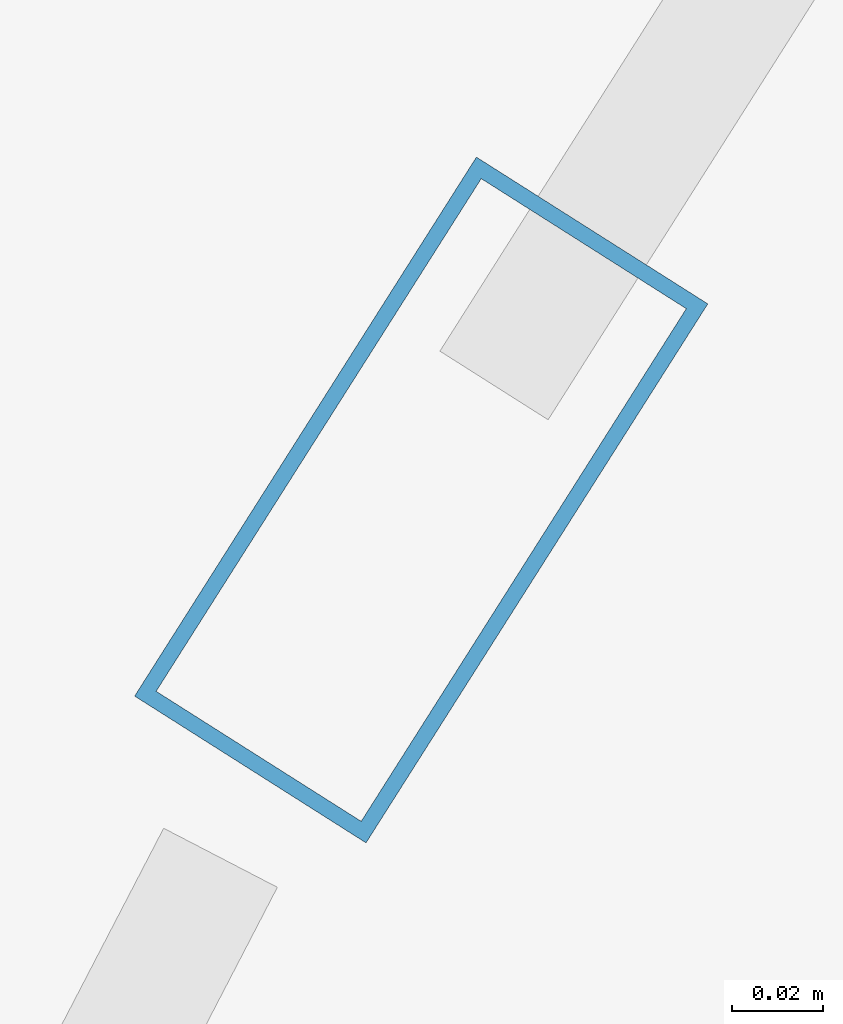
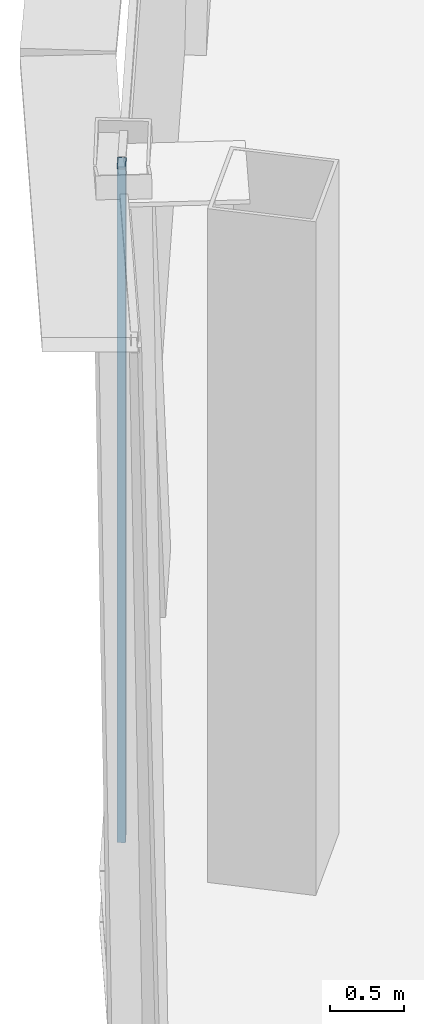
# One storey, part 10 of 33: 1 member, 1 element without a shape of its own.
"""IFC4 building model written with IfcOpenShell, lengths in metres."""

import ifcopenshell
import ifcopenshell.guid

model = None  # the IFC model being written
_history = None  # IfcOwnerHistory: only IFC2X3 demands one
_inside = {}  # id of a spatial element -> (the spatial element, [elements in it])
_under = {}  # id of a project, library or spatial element -> (it, [spatial elements below it])
_declared = {}  # id of a project -> (the project, [libraries it declares])
_typed = {}  # id of a type object -> (the type object, [elements of that type])
_made_of = {}  # id of a material, layer set ... -> (it, [elements and type objects made of it])


def new_model(schema):
    """Start an empty IFC model of exactly this schema.

    Asked for "IFC4X3", IfcOpenShell would pick the latest addendum, in which some entities
    have other attributes; the version numbers below select the first issue.
    IFC2X3 requires an IfcOwnerHistory on every rooted entity: one is made here for all.
    """
    global model, _history
    if schema == "IFC4X3":
        model = ifcopenshell.file(schema_version=(4, 3, 0, 0))
    else:
        model = ifcopenshell.file(schema=schema)
    _inside.clear()
    _under.clear()
    _declared.clear()
    _typed.clear()
    _made_of.clear()
    _history = None
    if model.schema == "IFC2X3":
        org = make("IfcOrganization", Name="unknown")
        user = make(
            "IfcPersonAndOrganization",
            ThePerson=make("IfcPerson", FamilyName="unknown"),
            TheOrganization=org,
        )
        app = make(
            "IfcApplication",
            ApplicationDeveloper=org,
            Version="unknown",
            ApplicationFullName="unknown",
            ApplicationIdentifier="unknown",
        )
        _history = make(
            "IfcOwnerHistory",
            OwningUser=user,
            OwningApplication=app,
            ChangeAction="ADDED",
            CreationDate=0,
        )
    return model


def make(cls, **values):
    """One entity of the class cls with the attributes given. An attribute that is None is left unset."""
    return model.create_entity(
        cls, **{name: value for name, value in values.items() if value is not None}
    )


def rooted(cls, **values):
    """An entity with a GlobalId (a new one), such as an element, a storey or a relation."""
    return make(cls, GlobalId=ifcopenshell.guid.new(), OwnerHistory=_history, **values)


def si_unit(unit_type, name, prefix=None):
    """IfcSIUnit, for example si_unit("LENGTHUNIT", "METRE", prefix="MILLI")."""
    return make("IfcSIUnit", UnitType=unit_type, Prefix=prefix, Name=name)


def assignment(units):
    """IfcUnitAssignment: the units of a project."""
    return None if units is None else make("IfcUnitAssignment", Units=units)


def point(xyz):
    """IfcCartesianPoint."""
    return None if xyz is None else make("IfcCartesianPoint", Coordinates=xyz)


def direction(xyz):
    """IfcDirection."""
    return None if xyz is None else make("IfcDirection", DirectionRatios=xyz)


def frame(location, z_axis=None, x_axis=None):
    """IfcAxis2Placement3D, a coordinate frame: its origin and axes. An axis left out is left unset."""
    return make(
        "IfcAxis2Placement3D",
        Location=point(location),
        Axis=direction(z_axis),
        RefDirection=direction(x_axis),
    )


def frame_2d(location, x_axis=None):
    """IfcAxis2Placement2D, a coordinate frame in the plane: its origin and x axis."""
    return make(
        "IfcAxis2Placement2D", Location=point(location), RefDirection=direction(x_axis)
    )


def origin():
    """The frame at (0, 0, 0) with its axes left unset."""
    return frame((0.0, 0.0, 0.0))


def origin_2d():
    """The frame at (0, 0) in the plane with its x axis left unset."""
    return frame_2d((0.0, 0.0))


def place(relative_to, where):
    """IfcLocalPlacement: puts the frame where relative to a parent placement (None: the world)."""
    return make(
        "IfcLocalPlacement", PlacementRelTo=relative_to, RelativePlacement=where
    )


def context(
    kind, dimensions, precision=None, world=None, true_north=None, identifier=None
):
    """IfcGeometricRepresentationContext, for example the 3D "Model" context."""
    return make(
        "IfcGeometricRepresentationContext",
        ContextIdentifier=identifier,
        ContextType=kind,
        CoordinateSpaceDimension=dimensions,
        Precision=precision,
        WorldCoordinateSystem=world,
        TrueNorth=true_north,
    )


def subcontext(parent, identifier, kind, view, scale=None):
    """IfcGeometricRepresentationSubContext, for example "Body" below "Model"."""
    return make(
        "IfcGeometricRepresentationSubContext",
        ContextIdentifier=identifier,
        ContextType=kind,
        ParentContext=parent,
        TargetScale=scale,
        TargetView=view,
    )


def project(units=None, contexts=None):
    """IfcProject with its units and contexts."""
    return rooted(
        "IfcProject",
        Name="project",
        RepresentationContexts=contexts,
        UnitsInContext=assignment(units),
    )


def spatial(cls, under=None, at=None, **own):
    """A site, building, storey or space (cls), placed at a placement, below another one or the project."""
    s = rooted(cls, ObjectPlacement=at, **own)
    if under is not None:
        _under.setdefault(under.id(), (under, []))[1].append(s)
    return s


def profile(cls, at=None, kind="AREA", **sizes):
    """A parametric profile (cls). Its sizes go by their IFC names, for example OverallWidth=200.0."""
    return make(cls, ProfileType=kind, Position=at, **sizes)


def hollow_rectangle(**sizes):
    """IfcRectangleHollowProfileDef."""
    return profile("IfcRectangleHollowProfileDef", **sizes)


def extrude(swept, where, along, depth):
    """IfcExtrudedAreaSolid: the profile swept, set in the frame where, extruded along a direction by depth."""
    return make(
        "IfcExtrudedAreaSolid",
        SweptArea=swept,
        Position=where,
        ExtrudedDirection=direction(along),
        Depth=depth,
    )


def shape(context_of_items, identifier, shape_type, items):
    """IfcShapeRepresentation: the items that make up one representation, for example the "Body"."""
    return make(
        "IfcShapeRepresentation",
        ContextOfItems=context_of_items,
        RepresentationIdentifier=identifier,
        RepresentationType=shape_type,
        Items=items,
    )


def source(mapping_origin, context_of_items, identifier, shape_type, items):
    """IfcRepresentationMap: a shape defined once, which mapped items show again and again."""
    return make(
        "IfcRepresentationMap",
        MappingOrigin=mapping_origin,
        MappedRepresentation=shape(context_of_items, identifier, shape_type, items),
    )


def transform(
    local_origin,
    x_axis=None,
    y_axis=None,
    z_axis=None,
    scale=None,
    scale2=None,
    scale3=None,
    uniform=True,
):
    """IfcCartesianTransformationOperator3D, or its non-uniform kind. x_axis, y_axis, z_axis: its Axis1, 2, 3."""
    if uniform:
        return make(
            "IfcCartesianTransformationOperator3D",
            Axis1=direction(x_axis),
            Axis2=direction(y_axis),
            LocalOrigin=point(local_origin),
            Scale=scale,
            Axis3=direction(z_axis),
        )
    return make(
        "IfcCartesianTransformationOperator3DnonUniform",
        Axis1=direction(x_axis),
        Axis2=direction(y_axis),
        LocalOrigin=point(local_origin),
        Scale=scale,
        Axis3=direction(z_axis),
        Scale2=scale2,
        Scale3=scale3,
    )


def mapped(mapping_source, mapping_target):
    """IfcMappedItem: shows the shape of a source again, moved by a transform."""
    return make(
        "IfcMappedItem", MappingSource=mapping_source, MappingTarget=mapping_target
    )


def material(Name=None, Category=None):
    """IfcMaterial."""
    return make("IfcMaterial", Name=Name, Category=Category)


def layer(
    of_material, thickness, ventilated=None, Name=None, Category=None, Priority=None
):
    """IfcMaterialLayer: one layer of a wall or slab, of a material (None: an air gap)."""
    return make(
        "IfcMaterialLayer",
        Material=of_material,
        LayerThickness=thickness,
        IsVentilated=ventilated,
        Name=Name,
        Category=Category,
        Priority=Priority,
    )


def layer_set(layers, Name=None):
    """IfcMaterialLayerSet."""
    return make("IfcMaterialLayerSet", MaterialLayers=layers, LayerSetName=Name)


def material_profile(
    of_material, cross_section, Name=None, Category=None, Priority=None
):
    """IfcMaterialProfile: a cross section and its material."""
    return make(
        "IfcMaterialProfile",
        Name=Name,
        Material=of_material,
        Profile=cross_section,
        Priority=Priority,
        Category=Category,
    )


def profile_set(profiles, Name=None, composite=None):
    """IfcMaterialProfileSet."""
    return make(
        "IfcMaterialProfileSet",
        Name=Name,
        MaterialProfiles=profiles,
        CompositeProfile=composite,
    )


def made_of(thing, what):
    """Note that an element or type object is made of a material, layer set ...; save() writes the relation."""
    if what is not None:
        _made_of.setdefault(what.id(), (what, []))[1].append(thing)
    return thing


def type_object(cls, material=None, **own):
    """A type object (cls), such as IfcWallType, which elements share."""
    return made_of(rooted(cls, **own), material)


def element(
    cls,
    number,
    at=None,
    inside=None,
    cuts=None,
    type_object=None,
    material=None,
    context=None,
    identifier="Body",
    shape_type=None,
    held_by="IfcProductDefinitionShape",
    body=None,
    shapes=None,
    **own,
):
    """One element of the class cls, such as IfcWall. Its Tag is "e" and its number.

    at: its placement. inside: the storey or other place that contains it. cuts: it is an
    opening in that element (IfcRelVoidsElement). A single representation is given by context,
    identifier, shape_type and body (its items); several are given by shapes. held_by: the class
    of the entity that holds the representations. save() writes the other relations.
    """
    e = rooted(cls, Tag="e%d" % number, ObjectPlacement=at, **own)
    if body is not None:
        shapes = [shape(context, identifier, shape_type, body)]
    if shapes is not None:
        e.Representation = make(held_by, Representations=shapes)
    if inside is not None:
        _inside.setdefault(inside.id(), (inside, []))[1].append(e)
    if cuts is not None:
        rooted(
            "IfcRelVoidsElement", RelatingBuildingElement=cuts, RelatedOpeningElement=e
        )
    if type_object is not None:
        _typed.setdefault(type_object.id(), (type_object, []))[1].append(e)
    return made_of(e, material)


def aggregate(whole, parts):
    """IfcRelAggregates: a whole, such as a stair, and the parts it consists of."""
    return rooted("IfcRelAggregates", RelatingObject=whole, RelatedObjects=parts)


def save(model, path):
    """Write the relations noted so far, then the file.

    IfcRelAggregates (storeys below a building ...), IfcRelContainedInSpatialStructure (elements
    in a storey), IfcRelDefinesByType, IfcRelAssociatesMaterial and IfcRelDeclares: one each for
    every whole, place, type object, material and project.
    """
    for whole, parts in _under.values():
        aggregate(whole, parts)
    for where, things in _inside.values():
        rooted(
            "IfcRelContainedInSpatialStructure",
            RelatedElements=things,
            RelatingStructure=where,
        )
    for kind, things in _typed.values():
        rooted("IfcRelDefinesByType", RelatedObjects=things, RelatingType=kind)
    for what, things in _made_of.values():
        rooted("IfcRelAssociatesMaterial", RelatedObjects=things, RelatingMaterial=what)
    for by, libraries in _declared.values():
        rooted("IfcRelDeclares", RelatingContext=by, RelatedDefinitions=libraries)
    model.write(path)


model = new_model("IFC4")

# Units and contexts
model_context = context("Model", 3, precision=1e-05, world=origin(), true_north=direction((0.0, 1.0)))
body_context = subcontext(model_context, "Body", "Model", "MODEL_VIEW")
ifc_project = project(units=[si_unit("LENGTHUNIT", "METRE"), si_unit("AREAUNIT", "SQUARE_METRE"), si_unit("VOLUMEUNIT", "CUBIC_METRE"), si_unit("PLANEANGLEUNIT", "RADIAN"), si_unit("MASSUNIT", "GRAM", prefix="KILO"), si_unit("THERMODYNAMICTEMPERATUREUNIT", "KELVIN"), si_unit("POWERUNIT", "WATT")], contexts=[model_context])

# Site, building, storey
site_placement = place(None, origin())
site = spatial("IfcSite", under=ifc_project, at=site_placement, CompositionType="ELEMENT")
building_placement = place(site_placement, origin())
building = spatial("IfcBuilding", under=site, at=building_placement, Name="Yunzhuo Pagoda Commons", CompositionType="ELEMENT")
storey_placement = place(building_placement, frame((0.0, 0.0, 314.860107421875)))
storey = spatial("IfcBuildingStorey", under=building, at=storey_placement, Name="L79", CompositionType="ELEMENT", Elevation=314.860107421875)

# Curtain wall, member
ifc_material = material(Name="Anodized aluminium 6063-T6", Category="aluminium")
ifc_layer = layer(ifc_material, 0.139892578125)
ifc_layer_set = layer_set([ifc_layer], Name="Anodized aluminium 6063-T6")
curtain_wall_type = type_object("IfcCurtainWallType", Name="CW-HI High-Zone Ribbon Curtain Wall", PredefinedType="NOTDEFINED", material=ifc_layer_set)
curtain_wall_placement = place(storey_placement, origin())
curtain_wall = element("IfcCurtainWall", 1, at=curtain_wall_placement, inside=storey, type_object=curtain_wall_type, Name="L79 curtain wall CW-L79-F3B2", PredefinedType="NOTDEFINED")
ifc_material_profile = material_profile(ifc_material, hollow_rectangle(XDim=0.06005859375, YDim=0.139892578125, WallThickness=0.00341796875, at=origin_2d()), Name="Anodized aluminium 6063-T6")
ifc_profile_set = profile_set([ifc_material_profile], Name="Anodized aluminium 6063-T6")
member_type = type_object("IfcMemberType", Name="CW-HI-M Mullion RHS 140x60x3.5", PredefinedType="MULLION", material=ifc_profile_set)
shared_shape = source(origin(), body_context, "Body", "SweptSolid", [
    extrude(hollow_rectangle(XDim=0.06005859375, YDim=0.139892578125, WallThickness=0.00341796875, at=origin_2d()), origin(), (0.0, 0.0, 1.0), 5.56982421875),
])
member_placement = place(storey_placement, frame((28.66259765625, 51.1513671875, 0.0), z_axis=(0.0, 0.0, 1.0), x_axis=(0.844512740935, -0.535535461383, 0.0)))
member = element("IfcMember", 2, at=member_placement, type_object=member_type, Name="CW mullion 2", PredefinedType="MULLION", context=body_context, shape_type="MappedRepresentation", body=[
    mapped(shared_shape, transform((0.0, 0.0, 0.0), scale=1.0)),
])
aggregate(curtain_wall, [member])

save(model, "model.ifc")
